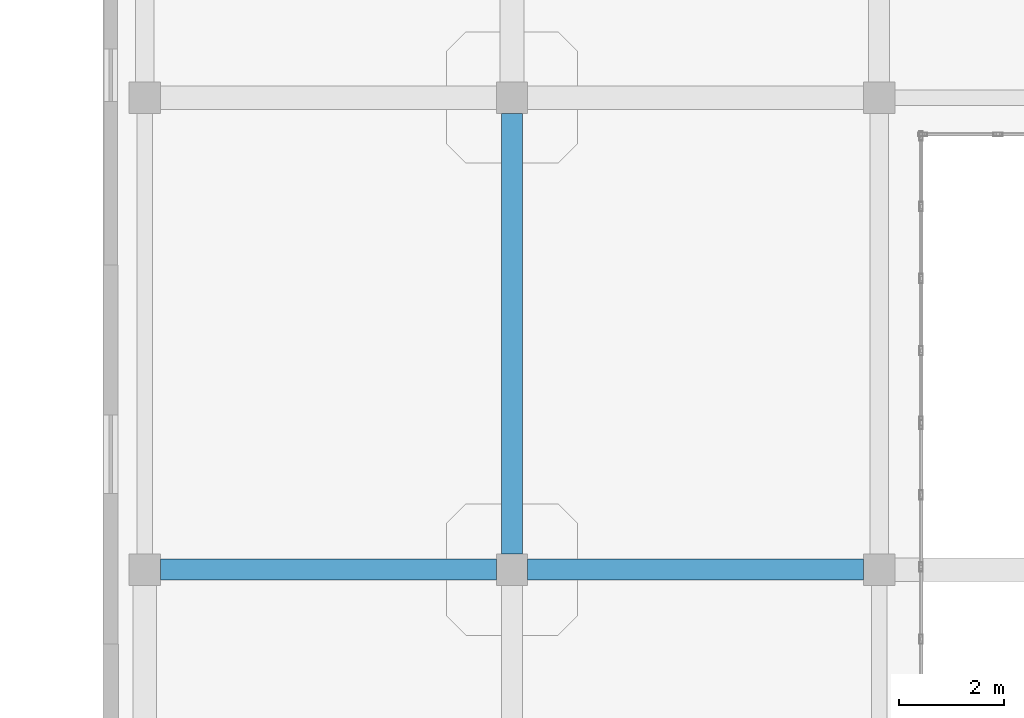
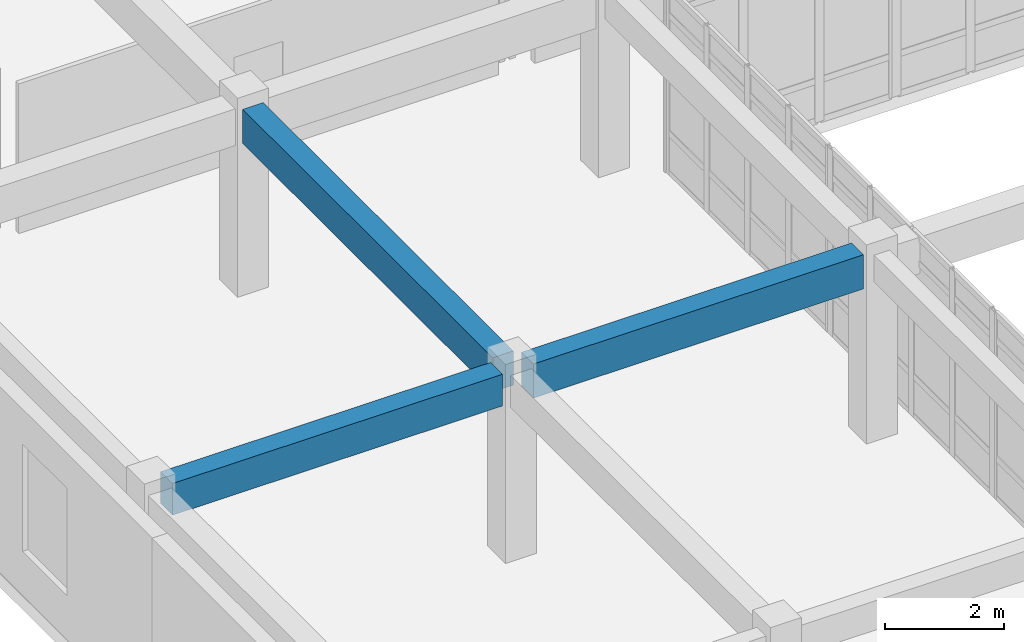
# One storey, part 82 of 146: 3 beams.
"""IFC4 building model written with IfcOpenShell, lengths in metres."""

from ifc_helpers import new_model, si_unit, direction, frame, origin, origin_2d, place, context, subcontext, project, spatial, rectangle, extrude, material, material_profile, profile_set, type_object, element, save


model = new_model("IFC4")

# Units and contexts
model_context = context("Model", 3, precision=1e-05, world=origin(), true_north=direction((0.0, 1.0)))
body_context = subcontext(model_context, "Body", "Model", "MODEL_VIEW")
ifc_project = project(units=[si_unit("LENGTHUNIT", "METRE"), si_unit("AREAUNIT", "SQUARE_METRE"), si_unit("VOLUMEUNIT", "CUBIC_METRE"), si_unit("PLANEANGLEUNIT", "RADIAN"), si_unit("MASSUNIT", "GRAM", prefix="KILO")], contexts=[model_context])

# Site, building, storey
site_placement = place(None, origin())
site = spatial("IfcSite", under=ifc_project, at=site_placement, CompositionType="ELEMENT")
building_placement = place(site_placement, origin())
building = spatial("IfcBuilding", under=site, at=building_placement, Name="Valcora Specialist Clinic", CompositionType="ELEMENT")
storey_placement = place(building_placement, frame((0.0, 0.0, 9.52001953125)))
storey = spatial("IfcBuildingStorey", under=building, at=storey_placement, Name="L02", CompositionType="ELEMENT", Elevation=9.52001953125)

# Beams
ifc_material = material(Name="Concrete C40/50", Category="concrete")
ifc_material_profile_1 = material_profile(ifc_material, rectangle(XDim=0.39990234375, YDim=0.64990234375, at=origin_2d()), Name="RC-BM-400X650")
ifc_profile_set_1 = profile_set([ifc_material_profile_1], Name="Concrete C40/50")
beam_type_1 = type_object("IfcBeamType", Name="TY-BM-RC400X650", PredefinedType="BEAM", material=ifc_profile_set_1)
beam_1_placement = place(storey_placement, frame((62.300048828125, 90.199951171875, 3.494873046875), z_axis=(1.0, 0.0, 0.0), x_axis=(0.0, 1.0, 0.0)))
element("IfcBeam", 1, at=beam_1_placement, inside=storey, type_object=beam_type_1, Name="Beam BM-L02-0711", PredefinedType="BEAM", context=body_context, shape_type="SweptSolid", body=[
    extrude(rectangle(XDim=0.39990234375, YDim=0.64990234375, at=origin_2d()), origin(), (0.0, 0.0, 1.0), 6.39990234375),
])
ifc_material_profile_2 = material_profile(ifc_material, rectangle(XDim=0.39990234375, YDim=0.699951171875, at=origin_2d()), Name="RC-BM-400X700")
ifc_profile_set_2 = profile_set([ifc_material_profile_2], Name="Concrete C40/50")
beam_type_2 = type_object("IfcBeamType", Name="TY-BM-RC400X700", PredefinedType="BEAM", material=ifc_profile_set_2)
beam_2_placement = place(storey_placement, frame((69.300048828125, 90.199951171875, 3.469970703125), z_axis=(1.0, 0.0, 0.0), x_axis=(0.0, 1.0, 0.0)))
element("IfcBeam", 2, at=beam_2_placement, inside=storey, type_object=beam_type_2, Name="Beam BM-L02-0712", PredefinedType="BEAM", context=body_context, shape_type="SweptSolid", body=[
    extrude(rectangle(XDim=0.39990234375, YDim=0.699951171875, at=origin_2d()), origin(), (0.0, 0.0, 1.0), 6.39990234375),
])
beam_3_placement = place(storey_placement, frame((69.0, 90.5, 3.469970703125), z_axis=(0.0, 1.0, 0.0), x_axis=(-1.0, 0.0, 0.0)))
element("IfcBeam", 3, at=beam_3_placement, inside=storey, type_object=beam_type_2, Name="Beam BM-L02-0740", PredefinedType="BEAM", context=body_context, shape_type="SweptSolid", body=[
    extrude(rectangle(XDim=0.39990234375, YDim=0.699951171875, at=origin_2d()), origin(), (0.0, 0.0, 1.0), 8.39990234375),
])

save(model, "model.ifc")
